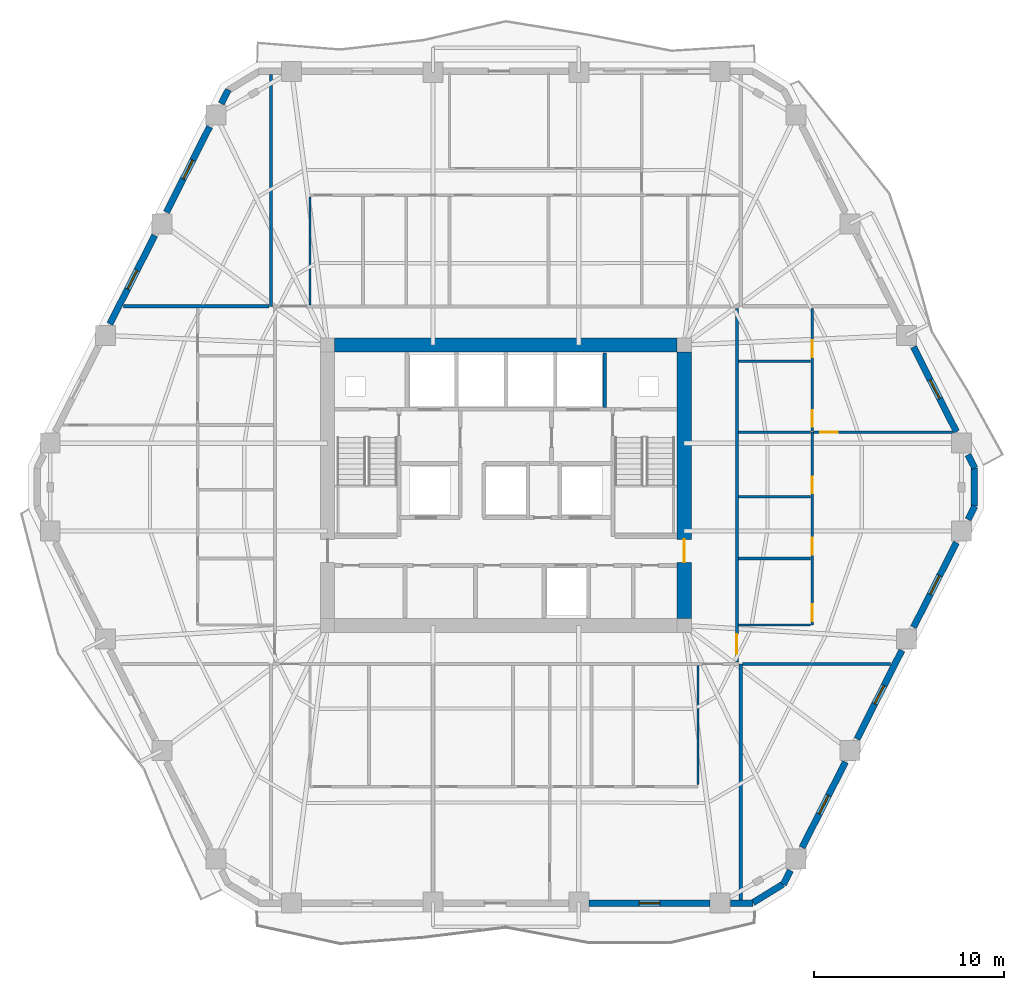
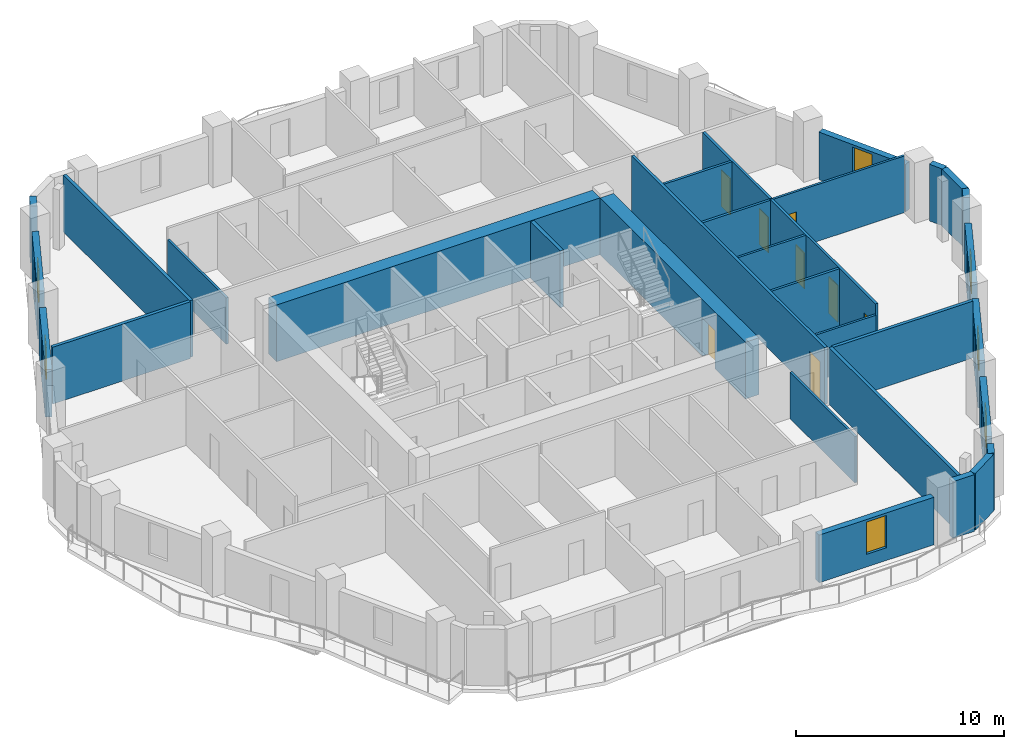
# One storey, part 6 of 11: 32 walls, 8 doors, 7 windows, 15 openings.
"""IFC4 building model written with IfcOpenShell, lengths in metres."""

from ifc_helpers import new_model, si_unit, direction, frame, frame_2d, origin, place, context, subcontext, project, spatial, rectangle, extrude, material, layer, layer_set, type_object, element, fill, save


model = new_model("IFC4")

# Units and contexts
model_context = context("Model", 3, precision=1e-05, world=origin(), true_north=direction((0.0, 1.0)))
body_context = subcontext(model_context, "Body", "Model", "MODEL_VIEW")
ifc_project = project(units=[si_unit("LENGTHUNIT", "METRE"), si_unit("AREAUNIT", "SQUARE_METRE"), si_unit("VOLUMEUNIT", "CUBIC_METRE"), si_unit("PLANEANGLEUNIT", "RADIAN"), si_unit("MASSUNIT", "GRAM", prefix="KILO")], contexts=[model_context])

# Site, building, storey
site_placement = place(None, origin())
site = spatial("IfcSite", under=ifc_project, at=site_placement, CompositionType="ELEMENT")
building_placement = place(site_placement, origin())
building = spatial("IfcBuilding", under=site, at=building_placement, Name="Cinnabar Lancet Tower", CompositionType="ELEMENT")
storey_placement = place(building_placement, frame((0.0, 0.0, 130.35009765625)))
storey = spatial("IfcBuildingStorey", under=building, at=storey_placement, Name="L34", CompositionType="ELEMENT", Elevation=130.35009765625)

# Wall, opening, door
ifc_material_1 = material(Name="Acoustic twin-stud gypsum partition", Category="gypsum")
ifc_layer_1 = layer(ifc_material_1, 0.159912109375)
ifc_layer_set_1 = layer_set([ifc_layer_1], Name="Acoustic twin-stud gypsum partition")
wall_type_1 = type_object("IfcWallType", Name="ARC-WL-CORR-160", PredefinedType="PARTITIONING", material=ifc_layer_set_1)
wall_1_placement = place(storey_placement, frame((44.550048828125, 16.594970703125, 0.0), z_axis=(0.0, 0.0, 1.0), x_axis=(0.0, 1.0, 0.0)))
wall_1 = element("IfcWall", 1, at=wall_1_placement, inside=storey, type_object=wall_type_1, Name="UW-L34-E01-COR", PredefinedType="PARTITIONING", context=body_context, shape_type="SweptSolid", body=[
    extrude(rectangle(XDim=18.610107421875, YDim=0.159912109375, at=frame_2d((9.30517578125, 0.0))), origin(), (0.0, 0.0, 1.0), 3.33984375),
])
opening_1_placement = place(wall_1_placement, frame((0.449951171875, 0.0, 0.0)))
opening_1 = element("IfcOpeningElement", 2, at=opening_1_placement, cuts=wall_1, Name="Opening UD-01", PredefinedType="OPENING", context=body_context, shape_type="SweptSolid", body=[
    extrude(rectangle(XDim=1.02001953125, YDim=2.25, at=frame_2d((0.510009765625, 1.125))), frame((0.0, 0.08984375, 0.0), z_axis=(0.0, -1.0, 0.0), x_axis=(1.0, 0.0, 0.0)), (0.0, 0.0, 1.0), 0.179931640625),
])
ifc_material_2 = material(Name="Solid timber fire-rated apartment entrance door", Category="wood")
door_type_1 = type_object("IfcDoorType", Name="ARC-DR-UNIT", OperationType="NOTDEFINED", PredefinedType="DOOR", material=ifc_material_2)
door_1_placement = place(opening_1_placement, origin())
door_1 = element("IfcDoor", 3, at=door_1_placement, inside=storey, type_object=door_type_1, Name="DR-L34-E01-ENT", OperationType="SINGLE_SWING_LEFT", OverallHeight=2.25, OverallWidth=1.02001953125, PredefinedType="DOOR", context=body_context, shape_type="SweptSolid", body=[
    extrude(rectangle(XDim=1.02001953125, YDim=2.25, at=frame_2d((0.510009765625, 1.125))), frame((0.0, 0.02490234375, 0.0), z_axis=(0.0, -1.0, 0.0), x_axis=(1.0, 0.0, 0.0)), (0.0, 0.0, 1.0), 0.050048828125),
])
fill(opening_1, door_1)

# Walls
ifc_material_3 = material(Name="Fire-rated twin-frame acoustic drywall", Category="gypsum")
ifc_layer_2 = layer(ifc_material_3, 0.179931640625)
ifc_layer_set_2 = layer_set([ifc_layer_2], Name="Fire-rated twin-frame acoustic drywall")
wall_type_2 = type_object("IfcWallType", Name="ARC-WL-PARTY-180", PredefinedType="PARTITIONING", material=ifc_layer_set_2)
wall_2_placement = place(storey_placement, frame((44.75, 4.10498046875, 0.0), z_axis=(0.0, 0.0, 1.0), x_axis=(0.0, 1.0, 0.0)))
element("IfcWall", 4, at=wall_2_placement, inside=storey, type_object=wall_type_2, Name="PW-L34-SPTY-448", PredefinedType="PARTITIONING", context=body_context, shape_type="SweptSolid", body=[
    extrude(rectangle(XDim=12.39501953125, YDim=0.179931640625, at=frame_2d((6.197509765625, 0.0))), origin(), (0.0, 0.0, 1.0), 3.33984375),
])
wall_3_placement = place(storey_placement, frame((20.050048828125, 35.300048828125, 0.0), z_axis=(0.0, 0.0, 1.0), x_axis=(0.0, 1.0, 0.0)))
element("IfcWall", 5, at=wall_3_placement, inside=storey, type_object=wall_type_2, Name="PW-L34-NPTY-200", PredefinedType="PARTITIONING", context=body_context, shape_type="SweptSolid", body=[
    extrude(rectangle(XDim=12.195068359375, YDim=0.179931640625, at=frame_2d((6.09765625, 0.0))), origin(), (0.0, 0.0, 1.0), 3.33984375),
])
wall_4_placement = place(storey_placement, frame((44.844970703125, 16.5, 0.0), z_axis=(0.0, 0.0, 1.0), x_axis=(1.0, 0.0, 0.0)))
element("IfcWall", 6, at=wall_4_placement, inside=storey, type_object=wall_type_2, Name="PW-L34-ESB", PredefinedType="PARTITIONING", context=body_context, shape_type="SweptSolid", body=[
    extrude(rectangle(XDim=7.77001953125, YDim=0.179931640625, at=frame_2d((3.885009765625, 0.0))), origin(), (0.0, 0.0, 1.0), 3.33984375),
])
wall_5_placement = place(storey_placement, frame((12.285888671875, 35.300048828125, 0.0), z_axis=(0.0, 0.0, 1.0), x_axis=(1.0, 0.0, 0.0)))
element("IfcWall", 7, at=wall_5_placement, inside=storey, type_object=wall_type_2, Name="PW-L34-WNB", PredefinedType="PARTITIONING", context=body_context, shape_type="SweptSolid", body=[
    extrude(rectangle(XDim=7.669189453125, YDim=0.179931640625, at=frame_2d((3.83447265625, 0.0))), origin(), (0.0, 0.0, 1.0), 3.33984375),
])
ifc_material_4 = material(Name="Autoclaved aerated concrete blockwork", Category="masonry")
ifc_layer_3 = layer(ifc_material_4, 0.199951171875)
ifc_layer_set_3 = layer_set([ifc_layer_3], Name="Autoclaved aerated concrete blockwork")
wall_type_3 = type_object("IfcWallType", Name="ARC-WL-SHAFT-200", PredefinedType="PLUMBINGWALL", material=ifc_layer_set_3)
wall_6_placement = place(storey_placement, frame((37.60009765625, 30.0, 0.0), z_axis=(0.0, 0.0, 1.0), x_axis=(0.0, 1.0, 0.0)))
element("IfcWall", 8, at=wall_6_placement, inside=storey, type_object=wall_type_3, Name="CW-NSH-D5-L34", PredefinedType="PLUMBINGWALL", context=body_context, shape_type="SweptSolid", body=[
    extrude(rectangle(XDim=2.85009765625, YDim=0.199951171875, at=frame_2d((1.425048828125, 0.0))), origin(), (0.0, 0.0, 1.0), 3.33984375),
])
ifc_material_5 = material(Name="Gypsum plasterboard stud partition", Category="gypsum")
ifc_layer_4 = layer(ifc_material_5, 0.125)
ifc_layer_set_4 = layer_set([ifc_layer_4], Name="Gypsum plasterboard stud partition")
wall_type_4 = type_object("IfcWallType", Name="ARC-WL-UNIT-125", PredefinedType="PARTITIONING", material=ifc_layer_set_4)
wall_7_placement = place(storey_placement, frame((42.5, 10.159912109375, 0.0), z_axis=(0.0, 0.0, 1.0), x_axis=(0.0, 1.0, 0.0)))
element("IfcWall", 9, at=wall_7_placement, inside=storey, type_object=wall_type_4, Name="UW-L34-S02-FOYW", PredefinedType="PARTITIONING", context=body_context, shape_type="SweptSolid", body=[
    extrude(rectangle(XDim=6.255126953125, YDim=0.125, at=frame_2d((3.12744140625, 0.0))), origin(), (0.0, 0.0, 1.0), 2.721923828125),
])
wall_8_placement = place(storey_placement, frame((22.10009765625, 35.385009765625, 0.0), z_axis=(0.0, 0.0, 1.0), x_axis=(0.0, 1.0, 0.0)))
element("IfcWall", 10, at=wall_8_placement, inside=storey, type_object=wall_type_4, Name="UW-L34-N01-FOYE", PredefinedType="PARTITIONING", context=body_context, shape_type="SweptSolid", body=[
    extrude(rectangle(XDim=5.6640625, YDim=0.125, at=frame_2d((2.83203125, 0.0))), origin(), (0.0, 0.0, 1.0), 2.721923828125),
])
wall_9_placement = place(storey_placement, frame((44.635009765625, 18.550048828125, 0.0), z_axis=(0.0, 0.0, 1.0), x_axis=(1.0, 0.0, 0.0)))
element("IfcWall", 11, at=wall_9_placement, inside=storey, type_object=wall_type_4, Name="UW-L34-E01-FOYN", PredefinedType="PARTITIONING", context=body_context, shape_type="SweptSolid", body=[
    extrude(rectangle(XDim=3.780029296875, YDim=0.125, at=frame_2d((1.89013671875, 0.0))), origin(), (0.0, 0.0, 1.0), 2.721923828125),
])

# Wall, opening, door
wall_10_placement = place(storey_placement, frame((48.574951171875, 28.68798828125, 0.0), z_axis=(0.0, 0.0, 1.0), x_axis=(1.0, 0.0, 0.0)))
wall_10 = element("IfcWall", 12, at=wall_10_placement, inside=storey, type_object=wall_type_4, Name="UW-L34-E01-MBN", PredefinedType="PARTITIONING", context=body_context, shape_type="SweptSolid", body=[
    extrude(rectangle(XDim=7.300048828125, YDim=0.125, at=frame_2d((3.64990234375, 0.0))), origin(), (0.0, 0.0, 1.0), 3.33984375),
])
opening_2_placement = place(wall_10_placement, frame((0.35009765625, 0.0, 0.0)))
opening_2 = element("IfcOpeningElement", 13, at=opening_2_placement, cuts=wall_10, Name="Opening RD-01", PredefinedType="OPENING", context=body_context, shape_type="SweptSolid", body=[
    extrude(rectangle(XDim=0.919921875, YDim=2.14990234375, at=frame_2d((0.4599609375, 1.074951171875))), frame((0.0, 0.072509765625, 0.0), z_axis=(0.0, -1.0, 0.0), x_axis=(1.0, 0.0, 0.0)), (0.0, 0.0, 1.0), 0.14501953125),
])
ifc_material_6 = material(Name="Engineered timber bedroom door", Category="wood")
door_type_2 = type_object("IfcDoorType", Name="ARC-DR-ROOM", OperationType="NOTDEFINED", PredefinedType="DOOR", material=ifc_material_6)
door_2_placement = place(opening_2_placement, origin())
door_2 = element("IfcDoor", 14, at=door_2_placement, inside=storey, type_object=door_type_2, Name="DR-L34-E01-MBD", OperationType="SINGLE_SWING_LEFT", OverallHeight=2.14990234375, OverallWidth=0.919921875, PredefinedType="DOOR", context=body_context, shape_type="SweptSolid", body=[
    extrude(rectangle(XDim=0.919921875, YDim=2.14990234375, at=frame_2d((0.4599609375, 1.074951171875))), frame((0.0, 0.02490234375, 0.0), z_axis=(0.0, -1.0, 0.0), x_axis=(1.0, 0.0, 0.0)), (0.0, 0.0, 1.0), 0.050048828125),
])
fill(opening_2, door_2)

# Wall
wall_11_placement = place(storey_placement, frame((44.635009765625, 25.2880859375, 0.0), z_axis=(0.0, 0.0, 1.0), x_axis=(1.0, 0.0, 0.0)))
element("IfcWall", 15, at=wall_11_placement, inside=storey, type_object=wall_type_4, Name="UW-L34-E01-UDV", PredefinedType="PARTITIONING", context=body_context, shape_type="SweptSolid", body=[
    extrude(rectangle(XDim=3.780029296875, YDim=0.125, at=frame_2d((1.89013671875, 0.0))), origin(), (0.0, 0.0, 1.0), 3.33984375),
])

# Wall, openings, doors
ifc_material_7 = material(Name="Moisture-resistant cement-board plumbing wall", Category="masonry")
ifc_layer_5 = layer(ifc_material_7, 0.139892578125)
ifc_layer_set_5 = layer_set([ifc_layer_5], Name="Moisture-resistant cement-board plumbing wall")
wall_type_5 = type_object("IfcWallType", Name="ARC-WL-WET-140", PredefinedType="PLUMBINGWALL", material=ifc_layer_set_5)
wall_12_placement = place(storey_placement, frame((48.5, 18.550048828125, 0.0), z_axis=(0.0, 0.0, 1.0), x_axis=(0.0, 1.0, 0.0)))
wall_12 = element("IfcWall", 16, at=wall_12_placement, inside=storey, type_object=wall_type_5, Name="UW-L34-E01-SPL", PredefinedType="PLUMBINGWALL", context=body_context, shape_type="SweptSolid", body=[
    extrude(rectangle(XDim=10.137939453125, YDim=0.139892578125, at=frame_2d((5.06884765625, 0.0))), origin(), (0.0, 0.0, 1.0), 3.33984375),
])
opening_3_placement = place(wall_12_placement, frame((0.199951171875, 0.0, 0.0)))
opening_3 = element("IfcOpeningElement", 17, at=opening_3_placement, cuts=wall_12, Name="Opening RD-02", PredefinedType="OPENING", context=body_context, shape_type="SweptSolid", body=[
    extrude(rectangle(XDim=0.8798828125, YDim=2.14990234375, at=frame_2d((0.43994140625, 1.074951171875))), frame((0.0, 0.079833984375, 0.0), z_axis=(0.0, -1.0, 0.0), x_axis=(1.0, 0.0, 0.0)), (0.0, 0.0, 1.0), 0.159912109375),
])
opening_4_placement = place(wall_12_placement, frame((3.699951171875, 0.0, 0.0)))
opening_4 = element("IfcOpeningElement", 18, at=opening_4_placement, cuts=wall_12, Name="Opening RD-02", PredefinedType="OPENING", context=body_context, shape_type="SweptSolid", body=[
    extrude(rectangle(XDim=0.8798828125, YDim=2.14990234375, at=frame_2d((0.43994140625, 1.074951171875))), frame((0.0, 0.079833984375, 0.0), z_axis=(0.0, -1.0, 0.0), x_axis=(1.0, 0.0, 0.0)), (0.0, 0.0, 1.0), 0.159912109375),
])
opening_5_placement = place(wall_12_placement, frame((6.93798828125, 0.0, 0.0)))
opening_5 = element("IfcOpeningElement", 19, at=opening_5_placement, cuts=wall_12, Name="Opening BD-01", PredefinedType="OPENING", context=body_context, shape_type="SweptSolid", body=[
    extrude(rectangle(XDim=0.860107421875, YDim=2.10009765625, at=frame_2d((0.43017578125, 1.050048828125))), frame((0.0, 0.079833984375, 0.0), z_axis=(0.0, -1.0, 0.0), x_axis=(1.0, 0.0, 0.0)), (0.0, 0.0, 1.0), 0.159912109375),
])
ifc_material_8 = material(Name="Moisture-resistant timber bathroom door", Category="wood")
door_type_3 = type_object("IfcDoorType", Name="ARC-DR-BATH", OperationType="NOTDEFINED", PredefinedType="DOOR", material=ifc_material_8)
door_3_placement = place(opening_5_placement, origin())
door_3 = element("IfcDoor", 20, at=door_3_placement, inside=storey, type_object=door_type_3, Name="DR-L34-E01-BTH", OperationType="SINGLE_SWING_RIGHT", OverallHeight=2.10009765625, OverallWidth=0.860107421875, PredefinedType="DOOR", context=body_context, shape_type="SweptSolid", body=[
    extrude(rectangle(XDim=0.860107421875, YDim=2.10009765625, at=frame_2d((0.43017578125, 1.050048828125))), frame((0.0, 0.02490234375, 0.0), z_axis=(0.0, -1.0, 0.0), x_axis=(1.0, 0.0, 0.0)), (0.0, 0.0, 1.0), 0.050048828125),
])
fill(opening_5, door_3)
ifc_material_9 = material(Name="Engineered timber study door", Category="wood")
door_type_4 = type_object("IfcDoorType", Name="ARC-DR-STUDY", OperationType="NOTDEFINED", PredefinedType="DOOR", material=ifc_material_9)
door_4_placement = place(opening_3_placement, origin())
door_4 = element("IfcDoor", 21, at=door_4_placement, inside=storey, type_object=door_type_4, Name="DR-L34-E01-KIT", OperationType="SINGLE_SWING_RIGHT", OverallHeight=2.14990234375, OverallWidth=0.8798828125, PredefinedType="DOOR", context=body_context, shape_type="SweptSolid", body=[
    extrude(rectangle(XDim=0.8798828125, YDim=2.14990234375, at=frame_2d((0.43994140625, 1.074951171875))), frame((0.0, 0.02490234375, 0.0), z_axis=(0.0, -1.0, 0.0), x_axis=(1.0, 0.0, 0.0)), (0.0, 0.0, 1.0), 0.050048828125),
])
fill(opening_3, door_4)
door_5_placement = place(opening_4_placement, origin())
door_5 = element("IfcDoor", 22, at=door_5_placement, inside=storey, type_object=door_type_4, Name="DR-L34-E01-UTL", OperationType="SINGLE_SWING_LEFT", OverallHeight=2.14990234375, OverallWidth=0.8798828125, PredefinedType="DOOR", context=body_context, shape_type="SweptSolid", body=[
    extrude(rectangle(XDim=0.8798828125, YDim=2.14990234375, at=frame_2d((0.43994140625, 1.074951171875))), frame((0.0, 0.02490234375, 0.0), z_axis=(0.0, -1.0, 0.0), x_axis=(1.0, 0.0, 0.0)), (0.0, 0.0, 1.0), 0.050048828125),
])
fill(opening_4, door_5)

wall_13_placement = place(storey_placement, frame((48.5, 28.758056640625, 0.0), z_axis=(0.0, 0.0, 1.0), x_axis=(0.0, 1.0, 0.0)))
wall_13 = element("IfcWall", 23, at=wall_13_placement, inside=storey, type_object=wall_type_5, Name="UW-L34-E01-SPM", PredefinedType="PLUMBINGWALL", context=body_context, shape_type="SweptSolid", body=[
    extrude(rectangle(XDim=6.447021484375, YDim=0.139892578125, at=frame_2d((3.2236328125, 0.0))), origin(), (0.0, 0.0, 1.0), 3.33984375),
])
opening_6_placement = place(wall_13_placement, frame((0.219970703125, 0.0, 0.0)))
opening_6 = element("IfcOpeningElement", 24, at=opening_6_placement, cuts=wall_13, Name="Opening BD-01", PredefinedType="OPENING", context=body_context, shape_type="SweptSolid", body=[
    extrude(rectangle(XDim=0.860107421875, YDim=2.10009765625, at=frame_2d((0.43017578125, 1.050048828125))), frame((0.0, 0.079833984375, 0.0), z_axis=(0.0, -1.0, 0.0), x_axis=(1.0, 0.0, 0.0)), (0.0, 0.0, 1.0), 0.159912109375),
])
opening_7_placement = place(wall_13_placement, frame((3.8798828125, 0.0, 0.0)))
opening_7 = element("IfcOpeningElement", 25, at=opening_7_placement, cuts=wall_13, Name="Opening RD-02", PredefinedType="OPENING", context=body_context, shape_type="SweptSolid", body=[
    extrude(rectangle(XDim=0.8798828125, YDim=2.14990234375, at=frame_2d((0.43994140625, 1.074951171875))), frame((0.0, 0.079833984375, 0.0), z_axis=(0.0, -1.0, 0.0), x_axis=(1.0, 0.0, 0.0)), (0.0, 0.0, 1.0), 0.159912109375),
])
door_6_placement = place(opening_6_placement, origin())
door_6 = element("IfcDoor", 26, at=door_6_placement, inside=storey, type_object=door_type_3, Name="DR-L34-E01-ENS", OperationType="SINGLE_SWING_LEFT", OverallHeight=2.10009765625, OverallWidth=0.860107421875, PredefinedType="DOOR", context=body_context, shape_type="SweptSolid", body=[
    extrude(rectangle(XDim=0.860107421875, YDim=2.10009765625, at=frame_2d((0.43017578125, 1.050048828125))), frame((0.0, 0.02490234375, 0.0), z_axis=(0.0, -1.0, 0.0), x_axis=(1.0, 0.0, 0.0)), (0.0, 0.0, 1.0), 0.050048828125),
])
fill(opening_6, door_6)
door_7_placement = place(opening_7_placement, origin())
door_7 = element("IfcDoor", 27, at=door_7_placement, inside=storey, type_object=door_type_4, Name="DR-L34-E01-EWDR", OperationType="SINGLE_SWING_RIGHT", OverallHeight=2.14990234375, OverallWidth=0.8798828125, PredefinedType="DOOR", context=body_context, shape_type="SweptSolid", body=[
    extrude(rectangle(XDim=0.8798828125, YDim=2.14990234375, at=frame_2d((0.43994140625, 1.074951171875))), frame((0.0, 0.02490234375, 0.0), z_axis=(0.0, -1.0, 0.0), x_axis=(1.0, 0.0, 0.0)), (0.0, 0.0, 1.0), 0.050048828125),
])
fill(opening_7, door_7)

# Walls
for number, where, z_axis, x_axis, name in (
    (28, (44.635009765625, 28.68798828125, 0.0), (0.0, 0.0, 1.0), (1.0, 0.0, 0.0), "UW-L34-E01-ENSN"),
    (29, (44.635009765625, 22.050048828125, 0.0), (0.0, 0.0, 1.0), (1.0, 0.0, 0.0), "UW-L34-E01-KDV"),
    (30, (44.635009765625, 32.41796875, 0.0), (0.0, 0.0, 1.0), (1.0, 0.0, 0.0), "UW-L34-E01-EWDV"),
):
    element("IfcWall", number, at=place(storey_placement, frame(where, z_axis=z_axis, x_axis=x_axis)), inside=storey, type_object=wall_type_5, Name=name, PredefinedType="PLUMBINGWALL", context=body_context, shape_type="SweptSolid", body=[
        extrude(rectangle(XDim=3.780029296875, YDim=0.139892578125, at=frame_2d((1.89013671875, 0.0))), origin(), (0.0, 0.0, 1.0), 3.33984375),
    ])
ifc_material_10 = material(Name="Cinnabar red clay brick", Category="masonry")
ifc_layer_6 = layer(ifc_material_10, 0.340087890625)
ifc_layer_set_6 = layer_set([ifc_layer_6], Name="Cinnabar red clay brick")
wall_type_6 = type_object("IfcWallType", Name="ENV-WL-BRK-RED-340", PredefinedType="STANDARD", material=ifc_layer_set_6)
wall_14_placement = place(storey_placement, frame((45.39697265625, 3.955078125, 0.0), z_axis=(0.0, 0.0, 1.0), x_axis=(0.851798915137, 0.523868884523, 0.0)))
element("IfcWall", 31, at=wall_14_placement, inside=storey, type_object=wall_type_6, Name="L34 Chamfered Corner Brick Pier 2.1", PredefinedType="STANDARD", context=body_context, shape_type="SweptSolid", body=[
    extrude(rectangle(XDim=1.847900390625, YDim=0.340087890625, at=frame_2d((0.923828125, 0.0))), origin(), (0.0, 0.0, 1.0), 3.33984375),
])
wall_15_placement = place(storey_placement, frame((57.032958984375, 24.802978515625, 0.0), z_axis=(0.0, 0.0, 1.0), x_axis=(0.0, 1.0, 0.0)))
element("IfcWall", 32, at=wall_15_placement, inside=storey, type_object=wall_type_6, Name="L34 Chamfered Corner Brick Pier 3.1", PredefinedType="STANDARD", context=body_context, shape_type="SweptSolid", body=[
    extrude(rectangle(XDim=1.994140625, YDim=0.340087890625, at=frame_2d((0.9970703125, 0.0))), origin(), (0.0, 0.0, 1.0), 3.33984375),
])

# Wall, opening, window
wall_16_placement = place(storey_placement, frame((36.760986328125, 3.929931640625, 0.0), z_axis=(0.0, 0.0, 1.0), x_axis=(1.0, 0.0, 0.0)))
wall_16 = element("IfcWall", 33, at=wall_16_placement, inside=storey, type_object=wall_type_6, Name="L34 Face 1 Masonry Bay Wall 4", PredefinedType="STANDARD", context=body_context, shape_type="SweptSolid", body=[
    extrude(rectangle(XDim=6.37890625, YDim=0.340087890625, at=frame_2d((3.189453125, 0.0))), origin(), (0.0, 0.0, 1.0), 2.796875),
])
opening_8_placement = place(wall_16_placement, frame((2.638916015625, 0.0, 0.75)))
opening_8 = element("IfcOpeningElement", 34, at=opening_8_placement, cuts=wall_16, Name="Opening WN-04", PredefinedType="OPENING", context=body_context, shape_type="SweptSolid", body=[
    extrude(rectangle(XDim=1.10009765625, YDim=1.89697265625, at=frame_2d((0.550048828125, 0.948486328125))), frame((0.0, 0.179931640625, 0.0), z_axis=(0.0, -1.0, 0.0), x_axis=(1.0, 0.0, 0.0)), (0.0, 0.0, 1.0), 0.360107421875),
])
ifc_material_11 = material(Name="Thermally broken bronze-anodized aluminium tall lancet window", Category="aluminium")
window_type = type_object("IfcWindowType", Name="ENV-WN-LANCET-1100", PartitioningType="SINGLE_PANEL", PredefinedType="WINDOW", material=ifc_material_11)
window_1_placement = place(opening_8_placement, origin())
window_1 = element("IfcWindow", 35, at=window_1_placement, inside=storey, type_object=window_type, Name="L34 Face 1 Gothic Lancet Window 4", OverallHeight=1.89697265625, OverallWidth=1.10009765625, PartitioningType="SINGLE_PANEL", PredefinedType="WINDOW", context=body_context, shape_type="SweptSolid", body=[
    extrude(rectangle(XDim=1.10009765625, YDim=1.89697265625, at=frame_2d((0.550048828125, 0.948486328125))), frame((0.0, 0.030029296875, 0.0), z_axis=(0.0, -1.0, 0.0), x_axis=(1.0, 0.0, 0.0)), (0.0, 0.0, 1.0), 0.06005859375),
])
fill(opening_8, window_1)

# Walls
wall_17_placement = place(storey_placement, frame((44.197998046875, 3.929931640625, 0.0), z_axis=(0.0, 0.0, 1.0), x_axis=(1.0, 0.0, 0.0)))
element("IfcWall", 36, at=wall_17_placement, inside=storey, type_object=wall_type_6, Name="L34 Face 1 Masonry Bay Wall 5", PredefinedType="STANDARD", context=body_context, shape_type="SweptSolid", body=[
    extrude(rectangle(XDim=1.2041015625, YDim=0.340087890625, at=frame_2d((0.60205078125, 0.0))), origin(), (0.0, 0.0, 1.0), 3.33984375),
])
wall_18_placement = place(storey_placement, frame((46.990966796875, 4.906982421875, 0.0), z_axis=(0.0, 0.0, 1.0), x_axis=(0.45172514337, 0.892157158155, 0.0)))
element("IfcWall", 37, at=wall_18_placement, inside=storey, type_object=wall_type_6, Name="L34 Face 2 Masonry Bay Wall 1", PredefinedType="STANDARD", context=body_context, shape_type="SweptSolid", body=[
    extrude(rectangle(XDim=0.821533203125, YDim=0.340087890625, at=frame_2d((0.41064453125, 0.0))), origin(), (0.0, 0.0, 1.0), 3.33984375),
])

# Wall, opening, window
wall_19_placement = place(storey_placement, frame((47.97509765625, 6.85205078125, 0.0), z_axis=(0.0, 0.0, 1.0), x_axis=(0.451548465867, 0.892246593142, 0.0)))
wall_19 = element("IfcWall", 38, at=wall_19_placement, inside=storey, type_object=wall_type_6, Name="L34 Face 2 Masonry Bay Wall 2", PredefinedType="STANDARD", context=body_context, shape_type="SweptSolid", body=[
    extrude(rectangle(XDim=5.040283203125, YDim=0.340087890625, at=frame_2d((2.52001953125, 0.0))), origin(), (0.0, 0.0, 1.0), 2.796875),
])
opening_9_placement = place(wall_19_placement, frame((1.969970703125, 0.0, 0.75)))
opening_9 = element("IfcOpeningElement", 39, at=opening_9_placement, cuts=wall_19, Name="Opening WN-04", PredefinedType="OPENING", context=body_context, shape_type="SweptSolid", body=[
    extrude(rectangle(XDim=1.10009765625, YDim=1.89697265625, at=frame_2d((0.550048828125, 0.948486328125))), frame((0.0, 0.179931640625, 0.0), z_axis=(0.0, -1.0, 0.0), x_axis=(1.0, 0.0, 0.0)), (0.0, 0.0, 1.0), 0.360107421875),
])
window_2_placement = place(opening_9_placement, origin())
window_2 = element("IfcWindow", 40, at=window_2_placement, inside=storey, type_object=window_type, Name="L34 Face 2 Gothic Lancet Window 2", OverallHeight=1.89697265625, OverallWidth=1.10009765625, PartitioningType="SINGLE_PANEL", PredefinedType="WINDOW", context=body_context, shape_type="SweptSolid", body=[
    extrude(rectangle(XDim=1.10009765625, YDim=1.89697265625, at=frame_2d((0.550048828125, 0.948486328125))), frame((0.0, 0.030029296875, 0.0), z_axis=(0.0, -1.0, 0.0), x_axis=(1.0, 0.0, 0.0)), (0.0, 0.0, 1.0), 0.06005859375),
])
fill(opening_9, window_2)

wall_20_placement = place(storey_placement, frame((50.863037109375, 12.56103515625, 0.0), z_axis=(0.0, 0.0, 1.0), x_axis=(0.451567731634, 0.892236842855, 0.0)))
wall_20 = element("IfcWall", 41, at=wall_20_placement, inside=storey, type_object=wall_type_6, Name="L34 Face 2 Masonry Bay Wall 3", PredefinedType="STANDARD", context=body_context, shape_type="SweptSolid", body=[
    extrude(rectangle(XDim=5.219482421875, YDim=0.340087890625, at=frame_2d((2.60986328125, 0.0))), origin(), (0.0, 0.0, 1.0), 2.796875),
])
opening_10_placement = place(wall_20_placement, frame((2.06005859375, 0.0, 0.75)))
opening_10 = element("IfcOpeningElement", 42, at=opening_10_placement, cuts=wall_20, Name="Opening WN-04", PredefinedType="OPENING", context=body_context, shape_type="SweptSolid", body=[
    extrude(rectangle(XDim=1.10009765625, YDim=1.89697265625, at=frame_2d((0.550048828125, 0.948486328125))), frame((0.0, 0.179931640625, 0.0), z_axis=(0.0, -1.0, 0.0), x_axis=(1.0, 0.0, 0.0)), (0.0, 0.0, 1.0), 0.360107421875),
])
window_3_placement = place(opening_10_placement, origin())
window_3 = element("IfcWindow", 43, at=window_3_placement, inside=storey, type_object=window_type, Name="L34 Face 2 Gothic Lancet Window 3", OverallHeight=1.89697265625, OverallWidth=1.10009765625, PartitioningType="SINGLE_PANEL", PredefinedType="WINDOW", context=body_context, shape_type="SweptSolid", body=[
    extrude(rectangle(XDim=1.10009765625, YDim=1.89697265625, at=frame_2d((0.550048828125, 0.948486328125))), frame((0.0, 0.030029296875, 0.0), z_axis=(0.0, -1.0, 0.0), x_axis=(1.0, 0.0, 0.0)), (0.0, 0.0, 1.0), 0.06005859375),
])
fill(opening_10, window_3)

wall_21_placement = place(storey_placement, frame((53.83203125, 18.427978515625, 0.0), z_axis=(0.0, 0.0, 1.0), x_axis=(0.451431617681, 0.892305718102, 0.0)))
wall_21 = element("IfcWall", 44, at=wall_21_placement, inside=storey, type_object=wall_type_6, Name="L34 Face 2 Masonry Bay Wall 4", PredefinedType="STANDARD", context=body_context, shape_type="SweptSolid", body=[
    extrude(rectangle(XDim=4.994873046875, YDim=0.340087890625, at=frame_2d((2.49755859375, 0.0))), origin(), (0.0, 0.0, 1.0), 2.796875),
])
opening_11_placement = place(wall_21_placement, frame((1.947021484375, 0.0, 0.75)))
opening_11 = element("IfcOpeningElement", 45, at=opening_11_placement, cuts=wall_21, Name="Opening WN-04", PredefinedType="OPENING", context=body_context, shape_type="SweptSolid", body=[
    extrude(rectangle(XDim=1.10009765625, YDim=1.89697265625, at=frame_2d((0.550048828125, 0.948486328125))), frame((0.0, 0.179931640625, 0.0), z_axis=(0.0, -1.0, 0.0), x_axis=(1.0, 0.0, 0.0)), (0.0, 0.0, 1.0), 0.360107421875),
])
window_4_placement = place(opening_11_placement, origin())
window_4 = element("IfcWindow", 46, at=window_4_placement, inside=storey, type_object=window_type, Name="L34 Face 2 Gothic Lancet Window 4", OverallHeight=1.89697265625, OverallWidth=1.10009765625, PartitioningType="SINGLE_PANEL", PredefinedType="WINDOW", context=body_context, shape_type="SweptSolid", body=[
    extrude(rectangle(XDim=1.10009765625, YDim=1.89697265625, at=frame_2d((0.550048828125, 0.948486328125))), frame((0.0, 0.030029296875, 0.0), z_axis=(0.0, -1.0, 0.0), x_axis=(1.0, 0.0, 0.0)), (0.0, 0.0, 1.0), 0.06005859375),
])
fill(opening_11, window_4)

# Walls
for number, where, z_axis, x_axis, name in (
    (47, (56.699951171875, 24.096923828125, 0.0), (0.0, 0.0, 1.0), (0.451819324107, 0.89210946546, 0.0), "L34 Face 2 Masonry Bay Wall 5"),
    (48, (57.053955078125, 26.803955078125, 0.0), (0.0, 0.0, 1.0), (-0.451819324107, 0.89210946546, 0.0), "L34 Face 3 Masonry Bay Wall 1"),
):
    element("IfcWall", number, at=place(storey_placement, frame(where, z_axis=z_axis, x_axis=x_axis)), inside=storey, type_object=wall_type_6, Name=name, PredefinedType="STANDARD", context=body_context, shape_type="SweptSolid", body=[
        extrude(rectangle(XDim=0.783447265625, YDim=0.340087890625, at=frame_2d((0.3916015625, 0.0))), origin(), (0.0, 0.0, 1.0), 3.33984375),
    ])

# Wall, opening, window
wall_22_placement = place(storey_placement, frame((56.0869140625, 28.715087890625, 0.0), z_axis=(0.0, 0.0, 1.0), x_axis=(-0.451431617681, 0.892305718102, 0.0)))
wall_22 = element("IfcWall", 49, at=wall_22_placement, inside=storey, type_object=wall_type_6, Name="L34 Face 3 Masonry Bay Wall 2", PredefinedType="STANDARD", context=body_context, shape_type="SweptSolid", body=[
    extrude(rectangle(XDim=4.994873046875, YDim=0.340087890625, at=frame_2d((2.49755859375, 0.0))), origin(), (0.0, 0.0, 1.0), 2.796875),
])
opening_12_placement = place(wall_22_placement, frame((1.947021484375, 0.0, 0.75)))
opening_12 = element("IfcOpeningElement", 50, at=opening_12_placement, cuts=wall_22, Name="Opening WN-04", PredefinedType="OPENING", context=body_context, shape_type="SweptSolid", body=[
    extrude(rectangle(XDim=1.10009765625, YDim=1.89697265625, at=frame_2d((0.550048828125, 0.948486328125))), frame((0.0, 0.179931640625, 0.0), z_axis=(0.0, -1.0, 0.0), x_axis=(1.0, 0.0, 0.0)), (0.0, 0.0, 1.0), 0.360107421875),
])
window_5_placement = place(opening_12_placement, origin())
window_5 = element("IfcWindow", 51, at=window_5_placement, inside=storey, type_object=window_type, Name="L34 Face 3 Gothic Lancet Window 2", OverallHeight=1.89697265625, OverallWidth=1.10009765625, PartitioningType="SINGLE_PANEL", PredefinedType="WINDOW", context=body_context, shape_type="SweptSolid", body=[
    extrude(rectangle(XDim=1.10009765625, YDim=1.89697265625, at=frame_2d((0.550048828125, 0.948486328125))), frame((0.0, 0.030029296875, 0.0), z_axis=(0.0, -1.0, 0.0), x_axis=(1.0, 0.0, 0.0)), (0.0, 0.0, 1.0), 0.06005859375),
])
fill(opening_12, window_5)

# Wall
wall_23_placement = place(storey_placement, frame((17.80908203125, 46.693115234375, 0.0), z_axis=(0.0, 0.0, 1.0), x_axis=(-0.45160540153, -0.89221777684, 0.0)))
element("IfcWall", 52, at=wall_23_placement, inside=storey, type_object=wall_type_6, Name="L34 Face 5 Masonry Bay Wall 1", PredefinedType="STANDARD", context=body_context, shape_type="SweptSolid", body=[
    extrude(rectangle(XDim=0.82177734375, YDim=0.340087890625, at=frame_2d((0.410888671875, 0.0))), origin(), (0.0, 0.0, 1.0), 3.33984375),
])

# Wall, opening, window
wall_24_placement = place(storey_placement, frame((16.824951171875, 44.748046875, 0.0), z_axis=(0.0, 0.0, 1.0), x_axis=(-0.451548465867, -0.892246593142, 0.0)))
wall_24 = element("IfcWall", 53, at=wall_24_placement, inside=storey, type_object=wall_type_6, Name="L34 Face 5 Masonry Bay Wall 2", PredefinedType="STANDARD", context=body_context, shape_type="SweptSolid", body=[
    extrude(rectangle(XDim=5.040283203125, YDim=0.340087890625, at=frame_2d((2.52001953125, 0.0))), origin(), (0.0, 0.0, 1.0), 2.796875),
])
opening_13_placement = place(wall_24_placement, frame((1.969970703125, 0.0, 0.75)))
opening_13 = element("IfcOpeningElement", 54, at=opening_13_placement, cuts=wall_24, Name="Opening WN-04", PredefinedType="OPENING", context=body_context, shape_type="SweptSolid", body=[
    extrude(rectangle(XDim=1.10009765625, YDim=1.89697265625, at=frame_2d((0.550048828125, 0.948486328125))), frame((0.0, 0.179931640625, 0.0), z_axis=(0.0, -1.0, 0.0), x_axis=(1.0, 0.0, 0.0)), (0.0, 0.0, 1.0), 0.360107421875),
])
window_6_placement = place(opening_13_placement, origin())
window_6 = element("IfcWindow", 55, at=window_6_placement, inside=storey, type_object=window_type, Name="L34 Face 5 Gothic Lancet Window 2", OverallHeight=1.89697265625, OverallWidth=1.10009765625, PartitioningType="SINGLE_PANEL", PredefinedType="WINDOW", context=body_context, shape_type="SweptSolid", body=[
    extrude(rectangle(XDim=1.10009765625, YDim=1.89697265625, at=frame_2d((0.550048828125, 0.948486328125))), frame((0.0, 0.030029296875, 0.0), z_axis=(0.0, -1.0, 0.0), x_axis=(1.0, 0.0, 0.0)), (0.0, 0.0, 1.0), 0.06005859375),
])
fill(opening_13, window_6)

wall_25_placement = place(storey_placement, frame((13.93701171875, 39.0390625, 0.0), z_axis=(0.0, 0.0, 1.0), x_axis=(-0.451567731634, -0.892236842855, 0.0)))
wall_25 = element("IfcWall", 56, at=wall_25_placement, inside=storey, type_object=wall_type_6, Name="L34 Face 5 Masonry Bay Wall 3", PredefinedType="STANDARD", context=body_context, shape_type="SweptSolid", body=[
    extrude(rectangle(XDim=5.219482421875, YDim=0.340087890625, at=frame_2d((2.60986328125, 0.0))), origin(), (0.0, 0.0, 1.0), 2.796875),
])
opening_14_placement = place(wall_25_placement, frame((2.06005859375, 0.0, 0.75)))
opening_14 = element("IfcOpeningElement", 57, at=opening_14_placement, cuts=wall_25, Name="Opening WN-04", PredefinedType="OPENING", context=body_context, shape_type="SweptSolid", body=[
    extrude(rectangle(XDim=1.10009765625, YDim=1.89697265625, at=frame_2d((0.550048828125, 0.948486328125))), frame((0.0, 0.179931640625, 0.0), z_axis=(0.0, -1.0, 0.0), x_axis=(1.0, 0.0, 0.0)), (0.0, 0.0, 1.0), 0.360107421875),
])
window_7_placement = place(opening_14_placement, origin())
window_7 = element("IfcWindow", 58, at=window_7_placement, inside=storey, type_object=window_type, Name="L34 Face 5 Gothic Lancet Window 3", OverallHeight=1.89697265625, OverallWidth=1.10009765625, PartitioningType="SINGLE_PANEL", PredefinedType="WINDOW", context=body_context, shape_type="SweptSolid", body=[
    extrude(rectangle(XDim=1.10009765625, YDim=1.89697265625, at=frame_2d((0.550048828125, 0.948486328125))), frame((0.0, 0.030029296875, 0.0), z_axis=(0.0, -1.0, 0.0), x_axis=(1.0, 0.0, 0.0)), (0.0, 0.0, 1.0), 0.06005859375),
])
fill(opening_14, window_7)

# Wall
ifc_material_12 = material(Name="Concrete C70/85", Category="concrete")
ifc_layer_7 = layer(ifc_material_12, 0.75)
ifc_layer_set_7 = layer_set([ifc_layer_7], Name="Concrete C70/85")
wall_type_7 = type_object("IfcWallType", Name="STR-WL-CORE-750", PredefinedType="SHEAR", material=ifc_layer_set_7)
wall_26_placement = place(storey_placement, frame((23.39990234375, 33.27490234375, 0.0), z_axis=(0.0, 0.0, 1.0), x_axis=(1.0, 0.0, 0.0)))
element("IfcWall", 59, at=wall_26_placement, inside=storey, type_object=wall_type_7, Name="L34 Core Shear Wall N", PredefinedType="SHEAR", context=body_context, shape_type="SweptSolid", body=[
    extrude(rectangle(XDim=18.0, YDim=0.75, at=frame_2d((9.0, 0.0))), origin(), (0.0, 0.0, 1.0), 3.33984375),
])

# Wall, opening, door
wall_27_placement = place(storey_placement, frame((41.77490234375, 18.89990234375, 0.0), z_axis=(0.0, 0.0, 1.0), x_axis=(0.0, 1.0, 0.0)))
wall_27 = element("IfcWall", 60, at=wall_27_placement, inside=storey, type_object=wall_type_7, Name="L34 Core Shear Wall E", PredefinedType="SHEAR", context=body_context, shape_type="SweptSolid", body=[
    extrude(rectangle(XDim=14.0, YDim=0.75, at=frame_2d((7.0, 0.0))), origin(), (0.0, 0.0, 1.0), 3.33984375),
])
opening_15_placement = place(wall_27_placement, frame((2.93994140625, 0.0, 0.0)))
opening_15 = element("IfcOpeningElement", 61, at=opening_15_placement, cuts=wall_27, Name="Opening FD-02", PredefinedType="OPENING", context=body_context, shape_type="SweptSolid", body=[
    extrude(rectangle(XDim=1.219970703125, YDim=2.25, at=frame_2d((0.60986328125, 1.125))), frame((0.0, 0.385009765625, 0.0), z_axis=(0.0, -1.0, 0.0), x_axis=(1.0, 0.0, 0.0)), (0.0, 0.0, 1.0), 0.77001953125),
])
ifc_material_13 = material(Name="Fire-rated double-vision core portal door", Category="wood")
door_type_5 = type_object("IfcDoorType", Name="ARC-DR-CPORT", OperationType="NOTDEFINED", PredefinedType="DOOR", material=ifc_material_13)
door_8_placement = place(opening_15_placement, origin())
door_8 = element("IfcDoor", 62, at=door_8_placement, inside=storey, type_object=door_type_5, Name="L34 East Core Lobby Fire Door", OperationType="SINGLE_SWING_LEFT", OverallHeight=2.25, OverallWidth=1.219970703125, PredefinedType="DOOR", context=body_context, shape_type="SweptSolid", body=[
    extrude(rectangle(XDim=1.219970703125, YDim=2.25, at=frame_2d((0.60986328125, 1.125))), frame((0.0, 0.02490234375, 0.0), z_axis=(0.0, -1.0, 0.0), x_axis=(1.0, 0.0, 0.0)), (0.0, 0.0, 1.0), 0.050048828125),
])
fill(opening_15, door_8)

save(model, "model.ifc")
